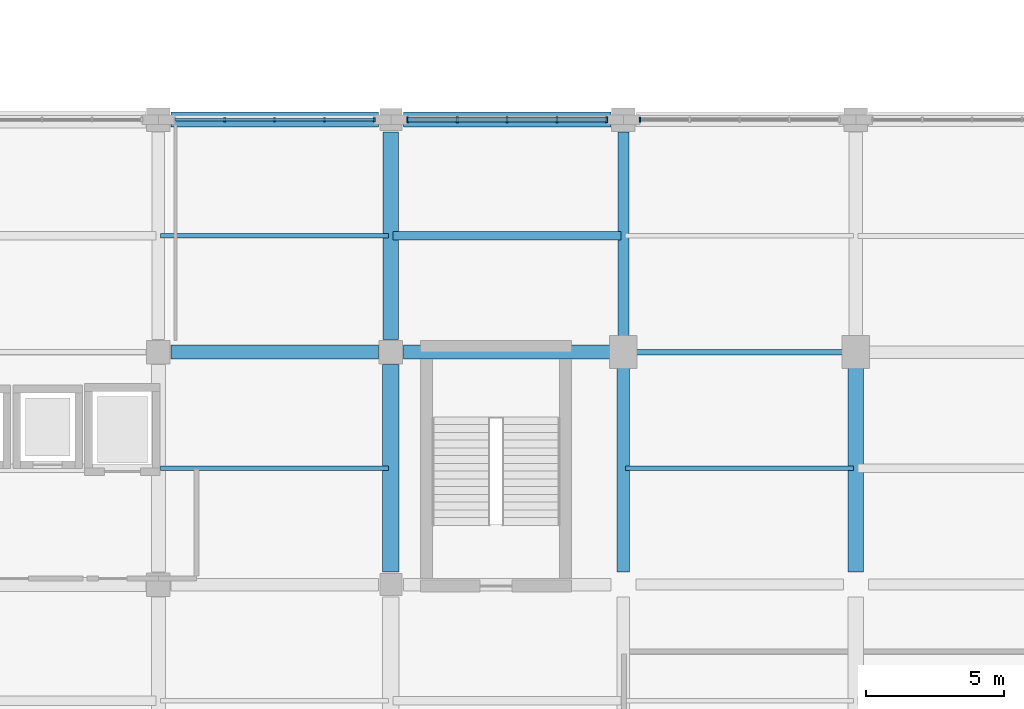
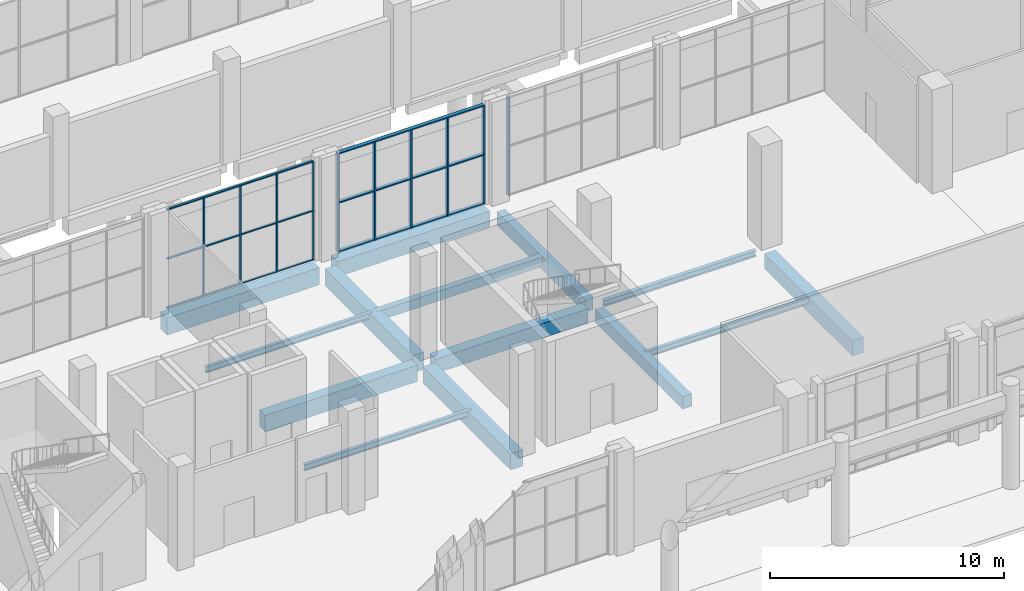
# One storey, part 32 of 82: 16 members, 14 beams, 3 elements without a shape of their own.
"""IFC4 building model written with IfcOpenShell, lengths in metres."""

from ifc_helpers import new_model, si_unit, derived_unit, direction, frame, origin, origin_2d, place, context, subcontext, project, spatial, rectangle, i_section, extrude, material, material_profile, profile_set, type_object, element, aggregate, save


model = new_model("IFC4")

# Units and contexts
model_context = context("Model", 3, precision=1e-05, world=origin(), true_north=direction((0.0, 1.0)))
body_context = subcontext(model_context, "Body", "Model", "MODEL_VIEW")
ifc_project = project(units=[si_unit("LENGTHUNIT", "METRE"), si_unit("AREAUNIT", "SQUARE_METRE"), si_unit("VOLUMEUNIT", "CUBIC_METRE"), si_unit("PLANEANGLEUNIT", "RADIAN"), si_unit("MASSUNIT", "GRAM", prefix="KILO"), derived_unit("THERMALTRANSMITTANCEUNIT", [(si_unit("POWERUNIT", "WATT"), 1), (si_unit("LENGTHUNIT", "METRE"), -2), (si_unit("THERMODYNAMICTEMPERATUREUNIT", "KELVIN"), -1)])], contexts=[model_context])

# Site, building, storey
site_placement = place(None, origin())
site = spatial("IfcSite", under=ifc_project, at=site_placement, CompositionType="ELEMENT")
building_placement = place(site_placement, origin())
building = spatial("IfcBuilding", under=site, at=building_placement, Name="Barrovel Congress Hotel", CompositionType="ELEMENT")
storey_placement = place(building_placement, origin())
storey = spatial("IfcBuildingStorey", under=building, at=storey_placement, Name="L00", CompositionType="ELEMENT", Elevation=0.0)

# Beams
ifc_material_1 = material(Name="Concrete C40", Category="concrete")
ifc_material_profile_1 = material_profile(ifc_material_1, rectangle(XDim=0.300048828125, YDim=0.5, at=origin_2d()), Name="RC300x500")
ifc_profile_set_1 = profile_set([ifc_material_profile_1], Name="Concrete C40")
beam_type_1 = type_object("IfcBeamType", Name="BM-RC300x500", PredefinedType="JOIST", material=ifc_profile_set_1)
beam_1_placement = place(storey_placement, frame((100.8798828125, 25.199951171875, -0.570068359375), z_axis=(1.0, 0.0, 0.0), x_axis=(0.0, 1.0, 0.0)))
element("IfcBeam", 1, at=beam_1_placement, inside=storey, type_object=beam_type_1, Name="JST:L00:100.8:25.2", PredefinedType="JOIST", context=body_context, shape_type="SweptSolid", body=[
    extrude(rectangle(XDim=0.300048828125, YDim=0.5, at=origin_2d()), origin(), (0.0, 0.0, 1.0), 8.240234375),
])
ifc_material_profile_2 = material_profile(ifc_material_1, rectangle(XDim=0.39990234375, YDim=0.699951171875, at=origin_2d()), Name="RC400x700")
ifc_profile_set_2 = profile_set([ifc_material_profile_2], Name="Concrete C40")
beam_type_2 = type_object("IfcBeamType", Name="BM-RC400x700", PredefinedType="BEAM", material=ifc_profile_set_2)
beam_2_placement = place(storey_placement, frame((109.199951171875, 21.449951171875, -0.669921875), z_axis=(0.0, 1.0, 0.0), x_axis=(-1.0, 0.0, 0.0)))
element("IfcBeam", 2, at=beam_2_placement, inside=storey, type_object=beam_type_2, Name="BMY:L00:109.2:21.0-29.4", PredefinedType="BEAM", context=body_context, shape_type="SweptSolid", body=[
    extrude(rectangle(XDim=0.39990234375, YDim=0.699951171875, at=origin_2d()), origin(), (0.0, 0.0, 1.0), 7.5),
])
ifc_material_profile_3 = material_profile(ifc_material_1, rectangle(XDim=0.449951171875, YDim=0.64990234375, at=origin_2d()), Name="RC450x650")
ifc_profile_set_3 = profile_set([ifc_material_profile_3], Name="Concrete C40")
beam_type_3 = type_object("IfcBeamType", Name="BM-RC450x650", PredefinedType="BEAM", material=ifc_profile_set_3)
beam_3_placement = place(storey_placement, frame((109.199951171875, 13.050048828125, -0.64501953125), z_axis=(0.0, 1.0, 0.0), x_axis=(-1.0, 0.0, 0.0)))
element("IfcBeam", 3, at=beam_3_placement, inside=storey, type_object=beam_type_3, Name="BMY:L00:109.2:12.6-21.0", PredefinedType="BEAM", context=body_context, shape_type="SweptSolid", body=[
    extrude(rectangle(XDim=0.449951171875, YDim=0.64990234375, at=origin_2d()), origin(), (0.0, 0.0, 1.0), 7.5),
])
ifc_material_profile_4 = material_profile(ifc_material_1, rectangle(XDim=0.5, YDim=0.75, at=origin_2d()), Name="RC500x750")
ifc_profile_set_4 = profile_set([ifc_material_profile_4], Name="Concrete C40")
beam_type_4 = type_object("IfcBeamType", Name="BM-RC500x750", PredefinedType="BEAM", material=ifc_profile_set_4)
beam_4_placement = place(storey_placement, frame((101.25, 21.0, -0.695068359375), z_axis=(1.0, 0.0, 0.0), x_axis=(0.0, 1.0, 0.0)))
element("IfcBeam", 4, at=beam_4_placement, inside=storey, type_object=beam_type_4, Name="BMX:L00:21.0:100.8-109.2", PredefinedType="BEAM", context=body_context, shape_type="SweptSolid", body=[
    extrude(rectangle(XDim=0.5, YDim=0.75, at=origin_2d()), origin(), (0.0, 0.0, 1.0), 7.5),
])
ifc_material_profile_5 = material_profile(ifc_material_1, rectangle(XDim=0.5, YDim=0.85009765625, at=origin_2d()), Name="RC500x850")
ifc_profile_set_5 = profile_set([ifc_material_profile_5], Name="Concrete C40")
beam_type_5 = type_object("IfcBeamType", Name="BM-RC500x850", PredefinedType="BEAM", material=ifc_profile_set_5)
beam_5_placement = place(storey_placement, frame((92.85009765625, 21.0, -0.7451171875), z_axis=(1.0, 0.0, 0.0), x_axis=(0.0, 1.0, 0.0)))
element("IfcBeam", 5, at=beam_5_placement, inside=storey, type_object=beam_type_5, Name="BMX:L00:21.0:92.4-100.8", PredefinedType="BEAM", context=body_context, shape_type="SweptSolid", body=[
    extrude(rectangle(XDim=0.5, YDim=0.85009765625, at=origin_2d()), origin(), (0.0, 0.0, 1.0), 7.5),
])
ifc_material_profile_6 = material_profile(ifc_material_1, rectangle(XDim=0.550048828125, YDim=0.800048828125, at=origin_2d()), Name="RC550x800")
ifc_profile_set_6 = profile_set([ifc_material_profile_6], Name="Concrete C40")
beam_type_6 = type_object("IfcBeamType", Name="BM-RC550x800", PredefinedType="BEAM", material=ifc_profile_set_6)
for number, where, z_axis, x_axis, name in (
    (6, (101.25, 29.39990234375, -0.719970703125), (1.0, 0.0, 0.0), (0.0, 1.0, 0.0), "BMX:L00:29.4:100.8-109.2"),
    (7, (117.60009765625, 13.050048828125, -0.719970703125), (0.0, 1.0, 0.0), (-1.0, 0.0, 0.0), "BMY:L00:117.6:12.6-21.0"),
):
    element("IfcBeam", number, at=place(storey_placement, frame(where, z_axis=z_axis, x_axis=x_axis)), inside=storey, type_object=beam_type_6, Name=name, PredefinedType="BEAM", context=body_context, shape_type="SweptSolid", body=[
        extrude(rectangle(XDim=0.550048828125, YDim=0.800048828125, at=origin_2d()), origin(), (0.0, 0.0, 1.0), 7.5),
    ])
ifc_material_profile_7 = material_profile(ifc_material_1, rectangle(XDim=0.550048828125, YDim=0.89990234375, at=origin_2d()), Name="RC550x900")
ifc_profile_set_7 = profile_set([ifc_material_profile_7], Name="Concrete C40")
beam_type_7 = type_object("IfcBeamType", Name="BM-RC550x900", PredefinedType="BEAM", material=ifc_profile_set_7)
for number, where, z_axis, x_axis, name in (
    (8, (92.85009765625, 29.39990234375, -0.77001953125), (1.0, 0.0, 0.0), (0.0, 1.0, 0.0), "BMX:L00:29.4:92.4-100.8"),
    (9, (100.800048828125, 21.449951171875, -0.77001953125), (0.0, 1.0, 0.0), (-1.0, 0.0, 0.0), "BMY:L00:100.8:21.0-29.4"),
):
    element("IfcBeam", number, at=place(storey_placement, frame(where, z_axis=z_axis, x_axis=x_axis)), inside=storey, type_object=beam_type_7, Name=name, PredefinedType="BEAM", context=body_context, shape_type="SweptSolid", body=[
        extrude(rectangle(XDim=0.550048828125, YDim=0.89990234375, at=origin_2d()), origin(), (0.0, 0.0, 1.0), 7.5),
    ])
ifc_material_profile_8 = material_profile(ifc_material_1, rectangle(XDim=0.60009765625, YDim=0.85009765625, at=origin_2d()), Name="RC600x850")
ifc_profile_set_8 = profile_set([ifc_material_profile_8], Name="Concrete C40")
beam_type_8 = type_object("IfcBeamType", Name="BM-RC600x850", PredefinedType="BEAM", material=ifc_profile_set_8)
beam_6_placement = place(storey_placement, frame((100.800048828125, 13.050048828125, -0.7451171875), z_axis=(0.0, 1.0, 0.0), x_axis=(-1.0, 0.0, 0.0)))
element("IfcBeam", 10, at=beam_6_placement, inside=storey, type_object=beam_type_8, Name="BMY:L00:100.8:12.6-21.0", PredefinedType="BEAM", context=body_context, shape_type="SweptSolid", body=[
    extrude(rectangle(XDim=0.60009765625, YDim=0.85009765625, at=origin_2d()), origin(), (0.0, 0.0, 1.0), 7.5),
])

# Curtain wall, members
ifc_material_2 = material(Name="Anodised Aluminium Alloy 6063-T6", Category="aluminium")
curtain_wall_type = type_object("IfcCurtainWallType", Name="CW-ST-7200x4800", PredefinedType="USERDEFINED", material=ifc_material_2)
curtain_wall_1_placement = place(storey_placement, origin())
curtain_wall_1 = element("IfcCurtainWall", 11, at=curtain_wall_1_placement, inside=storey, type_object=curtain_wall_type, Name="CW:L00:CS:11", ObjectType="STICK CURTAIN WALL", PredefinedType="USERDEFINED")
ifc_material_profile_9 = material_profile(ifc_material_2, rectangle(XDim=0.06005859375, YDim=0.139892578125, at=origin_2d()), Name="AL-M60x140")
ifc_profile_set_9 = profile_set([ifc_material_profile_9], Name="Anodised Aluminium Alloy 6063-T6")
member_type_1 = type_object("IfcMemberType", Name="CWM-AL-M60x140", PredefinedType="MULLION", material=ifc_profile_set_9)
member_1_placement = place(storey_placement, frame((100.199951171875, 29.39990234375, 0.0), z_axis=(0.0, 0.0, 1.0), x_axis=(1.0, 0.0, 0.0)))
member_1 = element("IfcMember", 12, at=member_1_placement, type_object=member_type_1, Name="CW:L00:CS:11:M0", PredefinedType="MULLION", context=body_context, shape_type="SweptSolid", body=[
    extrude(rectangle(XDim=0.06005859375, YDim=0.139892578125, at=origin_2d()), origin(), (0.0, 0.0, 1.0), 5.1201171875),
])
member_2_placement = place(storey_placement, frame((98.39990234375, 29.39990234375, 0.0), z_axis=(0.0, 0.0, 1.0), x_axis=(1.0, 0.0, 0.0)))
member_2 = element("IfcMember", 13, at=member_2_placement, type_object=member_type_1, Name="CW:L00:CS:11:M1", PredefinedType="MULLION", context=body_context, shape_type="SweptSolid", body=[
    extrude(rectangle(XDim=0.06005859375, YDim=0.139892578125, at=origin_2d()), origin(), (0.0, 0.0, 1.0), 5.1201171875),
])
member_3_placement = place(storey_placement, frame((96.60009765625, 29.39990234375, 0.0), z_axis=(0.0, 0.0, 1.0), x_axis=(1.0, 0.0, 0.0)))
member_3 = element("IfcMember", 14, at=member_3_placement, type_object=member_type_1, Name="CW:L00:CS:11:M2", PredefinedType="MULLION", context=body_context, shape_type="SweptSolid", body=[
    extrude(rectangle(XDim=0.06005859375, YDim=0.139892578125, at=origin_2d()), origin(), (0.0, 0.0, 1.0), 5.1201171875),
])
member_4_placement = place(storey_placement, frame((94.800048828125, 29.39990234375, 0.0), z_axis=(0.0, 0.0, 1.0), x_axis=(1.0, 0.0, 0.0)))
member_4 = element("IfcMember", 15, at=member_4_placement, type_object=member_type_1, Name="CW:L00:CS:11:M3", PredefinedType="MULLION", context=body_context, shape_type="SweptSolid", body=[
    extrude(rectangle(XDim=0.06005859375, YDim=0.139892578125, at=origin_2d()), origin(), (0.0, 0.0, 1.0), 5.1201171875),
])

# Curtain wall, member
curtain_wall_2_placement = place(storey_placement, origin())
curtain_wall_2 = element("IfcCurtainWall", 16, at=curtain_wall_2_placement, inside=storey, type_object=curtain_wall_type, Name="CW:L00:CS:13", ObjectType="STICK CURTAIN WALL", PredefinedType="USERDEFINED")
ifc_material_profile_10 = material_profile(ifc_material_2, rectangle(XDim=0.06494140625, YDim=0.18994140625, at=origin_2d()), Name="AL-M65x190")
ifc_profile_set_10 = profile_set([ifc_material_profile_10], Name="Anodised Aluminium Alloy 6063-T6")
member_type_2 = type_object("IfcMemberType", Name="CWM-AL-M65x190", PredefinedType="MULLION", material=ifc_profile_set_10)
member_5_placement = place(storey_placement, frame((109.800048828125, 29.39990234375, 0.0), z_axis=(0.0, 0.0, 1.0), x_axis=(1.0, 0.0, 0.0)))
member_5 = element("IfcMember", 17, at=member_5_placement, type_object=member_type_2, Name="CW:L00:CS:13:M4", PredefinedType="MULLION", context=body_context, shape_type="SweptSolid", body=[
    extrude(rectangle(XDim=0.06494140625, YDim=0.18994140625, at=origin_2d()), origin(), (0.0, 0.0, 1.0), 5.1201171875),
])
aggregate(curtain_wall_2, [member_5])

# Curtain wall, members
curtain_wall_3_placement = place(storey_placement, origin())
curtain_wall_3 = element("IfcCurtainWall", 18, at=curtain_wall_3_placement, inside=storey, type_object=curtain_wall_type, Name="CW:L00:CS:12", ObjectType="STICK CURTAIN WALL", PredefinedType="USERDEFINED")
ifc_material_profile_11 = material_profile(ifc_material_2, rectangle(XDim=0.06494140625, YDim=0.219970703125, at=origin_2d()), Name="AL-M65x220")
ifc_profile_set_11 = profile_set([ifc_material_profile_11], Name="Anodised Aluminium Alloy 6063-T6")
member_type_3 = type_object("IfcMemberType", Name="CWM-AL-M65x220", PredefinedType="MULLION", material=ifc_profile_set_11)
member_6_placement = place(storey_placement, frame((108.60009765625, 29.39990234375, 0.0), z_axis=(0.0, 0.0, 1.0), x_axis=(1.0, 0.0, 0.0)))
member_6 = element("IfcMember", 19, at=member_6_placement, type_object=member_type_3, Name="CW:L00:CS:12:M0", PredefinedType="MULLION", context=body_context, shape_type="SweptSolid", body=[
    extrude(rectangle(XDim=0.06494140625, YDim=0.219970703125, at=origin_2d()), origin(), (0.0, 0.0, 1.0), 5.1201171875),
])
member_7_placement = place(storey_placement, frame((106.800048828125, 29.39990234375, 0.0), z_axis=(0.0, 0.0, 1.0), x_axis=(1.0, 0.0, 0.0)))
member_7 = element("IfcMember", 20, at=member_7_placement, type_object=member_type_3, Name="CW:L00:CS:12:M1", PredefinedType="MULLION", context=body_context, shape_type="SweptSolid", body=[
    extrude(rectangle(XDim=0.06494140625, YDim=0.219970703125, at=origin_2d()), origin(), (0.0, 0.0, 1.0), 5.1201171875),
])
member_8_placement = place(storey_placement, frame((105.0, 29.39990234375, 0.0), z_axis=(0.0, 0.0, 1.0), x_axis=(1.0, 0.0, 0.0)))
member_8 = element("IfcMember", 21, at=member_8_placement, type_object=member_type_3, Name="CW:L00:CS:12:M2", PredefinedType="MULLION", context=body_context, shape_type="SweptSolid", body=[
    extrude(rectangle(XDim=0.06494140625, YDim=0.219970703125, at=origin_2d()), origin(), (0.0, 0.0, 1.0), 5.1201171875),
])
member_9_placement = place(storey_placement, frame((103.199951171875, 29.39990234375, 0.0), z_axis=(0.0, 0.0, 1.0), x_axis=(1.0, 0.0, 0.0)))
member_9 = element("IfcMember", 22, at=member_9_placement, type_object=member_type_3, Name="CW:L00:CS:12:M3", PredefinedType="MULLION", context=body_context, shape_type="SweptSolid", body=[
    extrude(rectangle(XDim=0.06494140625, YDim=0.219970703125, at=origin_2d()), origin(), (0.0, 0.0, 1.0), 5.1201171875),
])
member_10_placement = place(storey_placement, frame((101.39990234375, 29.39990234375, 0.0), z_axis=(0.0, 0.0, 1.0), x_axis=(1.0, 0.0, 0.0)))
member_10 = element("IfcMember", 23, at=member_10_placement, type_object=member_type_3, Name="CW:L00:CS:12:M4", PredefinedType="MULLION", context=body_context, shape_type="SweptSolid", body=[
    extrude(rectangle(XDim=0.06494140625, YDim=0.219970703125, at=origin_2d()), origin(), (0.0, 0.0, 1.0), 5.1201171875),
])

# Member
ifc_material_profile_12 = material_profile(ifc_material_2, rectangle(XDim=0.10498046875, YDim=0.06005859375, at=origin_2d()), Name="AL-T60x105")
ifc_profile_set_12 = profile_set([ifc_material_profile_12], Name="Anodised Aluminium Alloy 6063-T6")
member_type_4 = type_object("IfcMemberType", Name="CWT-AL-T60x105", PredefinedType="USERDEFINED", material=ifc_profile_set_12)
member_11_placement = place(storey_placement, frame((100.199951171875, 29.39990234375, 0.0), z_axis=(-1.0, 0.0, 0.0), x_axis=(0.0, -1.0, 0.0)))
member_11 = element("IfcMember", 24, at=member_11_placement, type_object=member_type_4, Name="CW:L00:CS:11:T0", ObjectType="TRANSOM", PredefinedType="USERDEFINED", context=body_context, shape_type="SweptSolid", body=[
    extrude(rectangle(XDim=0.10498046875, YDim=0.06005859375, at=origin_2d()), origin(), (0.0, 0.0, 1.0), 7.199951171875),
])

member_12_placement = place(storey_placement, frame((100.199951171875, 29.39990234375, 2.56005859375), z_axis=(-1.0, 0.0, 0.0), x_axis=(0.0, -1.0, 0.0)))
member_12 = element("IfcMember", 25, at=member_12_placement, type_object=member_type_4, Name="CW:L00:CS:11:T1", ObjectType="TRANSOM", PredefinedType="USERDEFINED", context=body_context, shape_type="SweptSolid", body=[
    extrude(rectangle(XDim=0.10498046875, YDim=0.06005859375, at=origin_2d()), origin(), (0.0, 0.0, 1.0), 7.199951171875),
])

member_13_placement = place(storey_placement, frame((100.199951171875, 29.39990234375, 5.1201171875), z_axis=(-1.0, 0.0, 0.0), x_axis=(0.0, -1.0, 0.0)))
member_13 = element("IfcMember", 26, at=member_13_placement, type_object=member_type_4, Name="CW:L00:CS:11:T2", ObjectType="TRANSOM", PredefinedType="USERDEFINED", context=body_context, shape_type="SweptSolid", body=[
    extrude(rectangle(XDim=0.10498046875, YDim=0.06005859375, at=origin_2d()), origin(), (0.0, 0.0, 1.0), 7.199951171875),
])

aggregate(curtain_wall_1, [member_1, member_2, member_3, member_4, member_11, member_12, member_13])

ifc_material_profile_13 = material_profile(ifc_material_2, rectangle(XDim=0.179931640625, YDim=0.06494140625, at=origin_2d()), Name="AL-T65x180")
ifc_profile_set_13 = profile_set([ifc_material_profile_13], Name="Anodised Aluminium Alloy 6063-T6")
member_type_5 = type_object("IfcMemberType", Name="CWT-AL-T65x180", PredefinedType="USERDEFINED", material=ifc_profile_set_13)
member_14_placement = place(storey_placement, frame((108.60009765625, 29.39990234375, 0.0), z_axis=(-1.0, 0.0, 0.0), x_axis=(0.0, -1.0, 0.0)))
member_14 = element("IfcMember", 27, at=member_14_placement, type_object=member_type_5, Name="CW:L00:CS:12:T0", ObjectType="TRANSOM", PredefinedType="USERDEFINED", context=body_context, shape_type="SweptSolid", body=[
    extrude(rectangle(XDim=0.179931640625, YDim=0.06494140625, at=origin_2d()), origin(), (0.0, 0.0, 1.0), 7.2001953125),
])

member_15_placement = place(storey_placement, frame((108.60009765625, 29.39990234375, 2.56005859375), z_axis=(-1.0, 0.0, 0.0), x_axis=(0.0, -1.0, 0.0)))
member_15 = element("IfcMember", 28, at=member_15_placement, type_object=member_type_5, Name="CW:L00:CS:12:T1", ObjectType="TRANSOM", PredefinedType="USERDEFINED", context=body_context, shape_type="SweptSolid", body=[
    extrude(rectangle(XDim=0.179931640625, YDim=0.06494140625, at=origin_2d()), origin(), (0.0, 0.0, 1.0), 7.2001953125),
])

member_16_placement = place(storey_placement, frame((108.60009765625, 29.39990234375, 5.1201171875), z_axis=(-1.0, 0.0, 0.0), x_axis=(0.0, -1.0, 0.0)))
member_16 = element("IfcMember", 29, at=member_16_placement, type_object=member_type_5, Name="CW:L00:CS:12:T2", ObjectType="TRANSOM", PredefinedType="USERDEFINED", context=body_context, shape_type="SweptSolid", body=[
    extrude(rectangle(XDim=0.179931640625, YDim=0.06494140625, at=origin_2d()), origin(), (0.0, 0.0, 1.0), 7.2001953125),
])

aggregate(curtain_wall_3, [member_6, member_7, member_8, member_9, member_10, member_14, member_15, member_16])

# Beams
ifc_material_3 = material(Name="Steel ASTM A992 Grade 50", Category="steel")
ifc_material_profile_14 = material_profile(ifc_material_3, i_section(OverallWidth=0.1650390625, OverallDepth=0.31005859375, WebThickness=0.005859375, FlangeThickness=0.009765625, FilletRadius=0.010986328125, at=origin_2d()), Name="W310x39")
ifc_profile_set_14 = profile_set([ifc_material_profile_14], Name="Steel ASTM A992 Grade 50")
beam_type_9 = type_object("IfcBeamType", Name="SBM-W310x39", PredefinedType="JOIST", material=ifc_profile_set_14)
beam_7_placement = place(storey_placement, frame((92.47998046875, 25.199951171875, -0.47509765625), z_axis=(1.0, 0.0, 0.0), x_axis=(0.0, 1.0, 0.0)))
element("IfcBeam", 30, at=beam_7_placement, inside=storey, type_object=beam_type_9, Name="JST:L00:92.4:25.2", PredefinedType="JOIST", context=body_context, shape_type="SweptSolid", body=[
    extrude(i_section(OverallWidth=0.1650390625, OverallDepth=0.31005859375, WebThickness=0.005859375, FlangeThickness=0.009765625, FilletRadius=0.010986328125, at=origin_2d()), origin(), (0.0, 0.0, 1.0), 8.239990234375),
])
ifc_material_profile_15 = material_profile(ifc_material_3, i_section(OverallWidth=0.1669921875, OverallDepth=0.31689453125, WebThickness=0.007568359375, FlangeThickness=0.01318359375, FilletRadius=0.010986328125, at=origin_2d()), Name="W310x52")
ifc_profile_set_15 = profile_set([ifc_material_profile_15], Name="Steel ASTM A992 Grade 50")
beam_type_10 = type_object("IfcBeamType", Name="SBM-W310x52", PredefinedType="JOIST", material=ifc_profile_set_15)
for number, where, z_axis, x_axis, name in (
    (31, (92.47998046875, 16.800048828125, -0.478515625), (1.0, 0.0, 0.0), (0.0, 1.0, 0.0), "JST:L00:92.4:16.8"),
    (32, (109.280029296875, 16.800048828125, -0.478515625), (1.0, 0.0, 0.0), (0.0, 1.0, 0.0), "JST:L00:109.2:16.8"),
):
    element("IfcBeam", number, at=place(storey_placement, frame(where, z_axis=z_axis, x_axis=x_axis)), inside=storey, type_object=beam_type_10, Name=name, PredefinedType="JOIST", context=body_context, shape_type="SweptSolid", body=[
        extrude(i_section(OverallWidth=0.1669921875, OverallDepth=0.31689453125, WebThickness=0.007568359375, FlangeThickness=0.01318359375, FilletRadius=0.010986328125, at=origin_2d()), origin(), (0.0, 0.0, 1.0), 8.239990234375),
    ])
ifc_material_profile_16 = material_profile(ifc_material_3, i_section(OverallWidth=0.205078125, OverallDepth=0.31005859375, WebThickness=0.009521484375, FlangeThickness=0.016357421875, FilletRadius=0.012939453125, at=origin_2d()), Name="W310x74")
ifc_profile_set_16 = profile_set([ifc_material_profile_16], Name="Steel ASTM A992 Grade 50")
beam_type_11 = type_object("IfcBeamType", Name="SBM-W310x74", PredefinedType="SPANDREL", material=ifc_profile_set_16)
beam_8_placement = place(storey_placement, frame((109.64990234375, 21.0, -0.47509765625), z_axis=(1.0, 0.0, 0.0), x_axis=(0.0, 1.0, 0.0)))
element("IfcBeam", 33, at=beam_8_placement, inside=storey, type_object=beam_type_11, Name="BMX:L00:21.0:109.2-117.6", PredefinedType="SPANDREL", context=body_context, shape_type="SweptSolid", body=[
    extrude(i_section(OverallWidth=0.205078125, OverallDepth=0.31005859375, WebThickness=0.009521484375, FlangeThickness=0.016357421875, FilletRadius=0.012939453125, at=origin_2d()), origin(), (0.0, 0.0, 1.0), 7.5),
])

save(model, "model.ifc")
